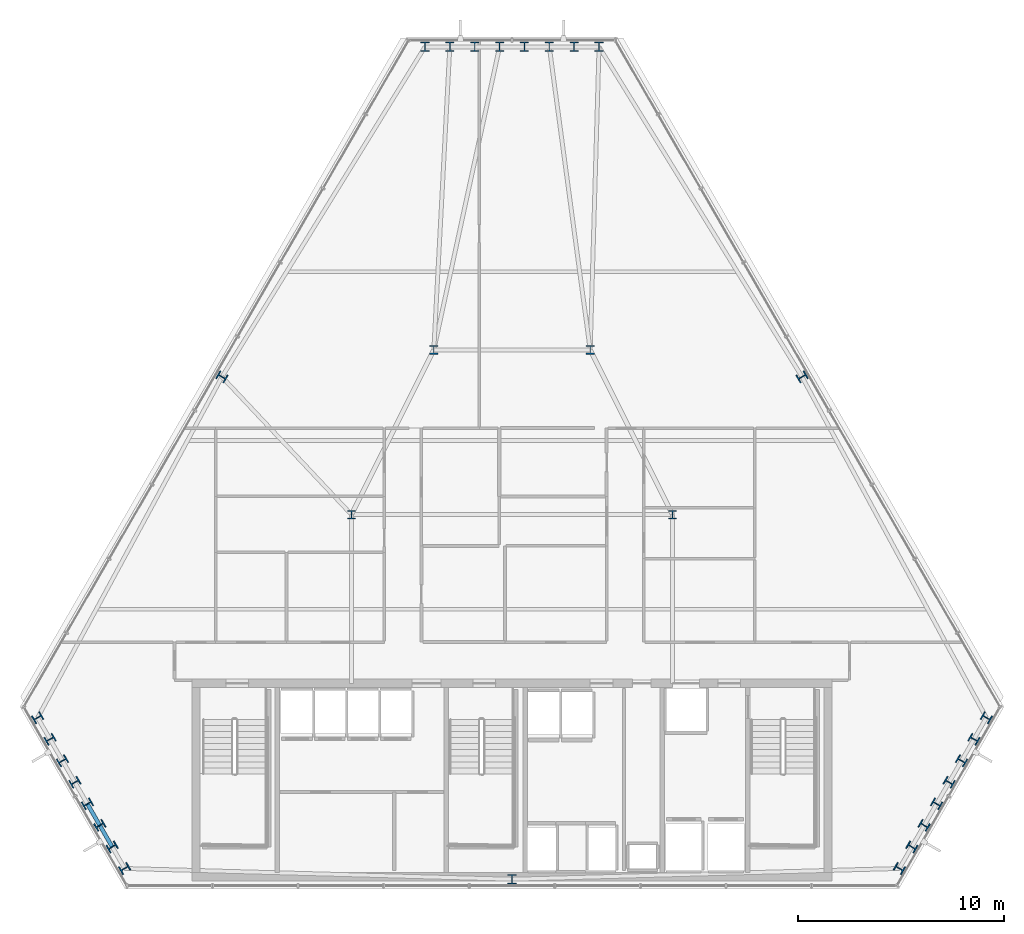
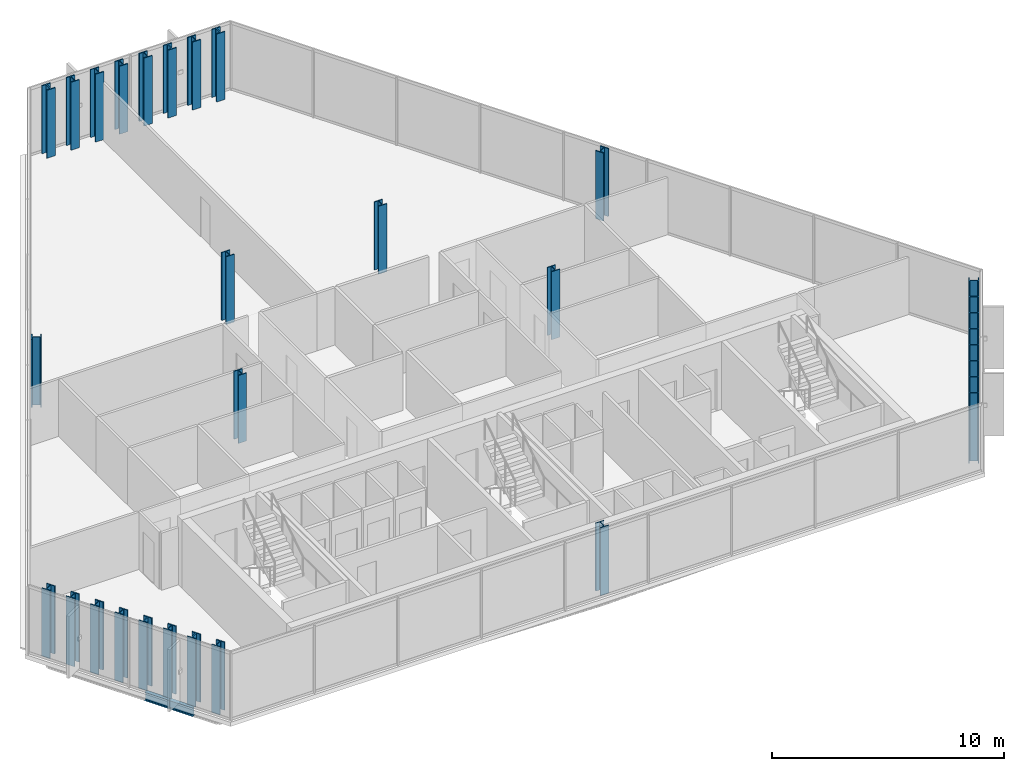
# One storey, part 1 of 35: 31 columns, 2 beams.
"""IFC4 building model written with IfcOpenShell, lengths in metres."""

from ifc_helpers import new_model, si_unit, direction, frame, origin, origin_2d, place, context, subcontext, project, spatial, i_section, extrude, material, material_profile, profile_set, type_object, element, save


model = new_model("IFC4")

# Units and contexts
model_context = context("Model", 3, precision=1e-05, world=origin(), true_north=direction((0.0, 1.0)))
body_context = subcontext(model_context, "Body", "Model", "MODEL_VIEW")
ifc_project = project(units=[si_unit("LENGTHUNIT", "METRE"), si_unit("AREAUNIT", "SQUARE_METRE"), si_unit("VOLUMEUNIT", "CUBIC_METRE"), si_unit("PLANEANGLEUNIT", "RADIAN"), si_unit("MASSUNIT", "GRAM", prefix="KILO")], contexts=[model_context])

# Site, building, storey
site_placement = place(None, origin())
site = spatial("IfcSite", under=ifc_project, at=site_placement, CompositionType="ELEMENT")
building_placement = place(site_placement, origin())
building = spatial("IfcBuilding", under=site, at=building_placement, Name="Ndaravel Arena Tower", CompositionType="ELEMENT")
storey_placement = place(building_placement, frame((0.0, 0.0, 172.60009765625)))
storey = spatial("IfcBuildingStorey", under=building, at=storey_placement, Name="L41", CompositionType="ELEMENT", Elevation=172.60009765625)

# Columns
ifc_material_1 = material(Name="Steel S355", Category="steel")
ifc_material_profile_1 = material_profile(ifc_material_1, i_section(OverallWidth=0.406982421875, OverallDepth=0.4189453125, WebThickness=0.030517578125, FlangeThickness=0.04931640625, FilletRadius=0.01513671875, at=origin_2d()), Name="UC 356x406x393")
ifc_profile_set_1 = profile_set([ifc_material_profile_1], Name="Steel S355")
column_type_1 = type_object("IfcColumnType", Name="COL-INT-UC393", PredefinedType="COLUMN", material=ifc_profile_set_1)
for number, where, z_axis, x_axis, name in (
    (1, (34.199951171875, 23.199951171875, 0.0), (0.0, 0.0, 1.0), (1.0, 0.0, 0.0), "L41 Interior Spine Column IC-01"),
    (2, (49.800048828125, 23.199951171875, 0.0), (0.0, 0.0, 1.0), (1.0, 0.0, 0.0), "L41 Interior Spine Column IC-02"),
    (3, (38.199951171875, 31.199951171875, 0.0), (0.0, 0.0, 1.0), (1.0, 0.0, 0.0), "L41 Interior Spine Column IC-03"),
    (4, (45.800048828125, 31.199951171875, 0.0), (0.0, 0.0, 1.0), (1.0, 0.0, 0.0), "L41 Interior Spine Column IC-04"),
):
    element("IfcColumn", number, at=place(storey_placement, frame(where, z_axis=z_axis, x_axis=x_axis)), inside=storey, type_object=column_type_1, Name=name, PredefinedType="COLUMN", context=body_context, shape_type="SweptSolid", body=[
        extrude(i_section(OverallWidth=0.406982421875, OverallDepth=0.4189453125, WebThickness=0.030517578125, FlangeThickness=0.04931640625, FilletRadius=0.01513671875, at=origin_2d()), origin(), (0.0, 0.0, 1.0), 3.579833984375),
    ])
ifc_material_2 = material(Name="Steel S355", Category="steel")
ifc_material_profile_2 = material_profile(ifc_material_2, i_section(OverallWidth=0.41796875, OverallDepth=0.455078125, WebThickness=0.0419921875, FlangeThickness=0.052001953125, FilletRadius=0.014892578125, at=origin_2d()), Name="HD 400x551")
ifc_profile_set_2 = profile_set([ifc_material_profile_2], Name="Steel S355")
column_type_2 = type_object("IfcColumnType", Name="COL-TUBE-HD551", PredefinedType="COLUMN", material=ifc_profile_set_2)
for number, where, z_axis, x_axis, name in (
    (5, (42.0, 5.47998046875, 0.0), (0.0, 0.0, 1.0), (1.0, 0.0, 0.0), "L41 Framed Tube Column TC-01"),
    (6, (60.82080078125, 6.00341796875, 0.0), (0.0, 0.0, 1.0), (0.5, 0.866025403784, 0.0), "L41 Framed Tube Column TC-02"),
    (7, (61.425048828125, 7.0498046875, 0.0), (0.0, 0.0, 1.0), (0.5, 0.866025403784, 0.0), "L41 Framed Tube Column TC-03"),
    (8, (62.029296875, 8.096435546875, 0.0), (0.0, 0.0, 1.0), (0.5, 0.866025403784, 0.0), "L41 Framed Tube Column TC-04"),
    (9, (62.633544921875, 9.14306640625, 0.0), (0.0, 0.0, 1.0), (0.5, 0.866025403784, 0.0), "L41 Framed Tube Column TC-05"),
    (10, (63.23779296875, 10.189697265625, 0.0), (0.0, 0.0, 1.0), (0.5, 0.866025403784, 0.0), "L41 Framed Tube Column TC-06"),
    (11, (63.842041015625, 11.236328125, 0.0), (0.0, 0.0, 1.0), (0.5, 0.866025403784, 0.0), "L41 Framed Tube Column TC-07"),
    (12, (64.4462890625, 12.282958984375, 0.0), (0.0, 0.0, 1.0), (0.5, 0.866025403784, 0.0), "L41 Framed Tube Column TC-08"),
    (13, (65.050537109375, 13.32958984375, 0.0), (0.0, 0.0, 1.0), (0.5, 0.866025403784, 0.0), "L41 Framed Tube Column TC-09"),
    (14, (56.093505859375, 29.890380859375, 0.0), (0.0, 0.0, 1.0), (-0.5, 0.866025403784, 0.0), "L41 Framed Tube Column TC-10"),
    (15, (46.229736328125, 45.92822265625, 0.0), (0.0, 0.0, 1.0), (1.0, 0.0, 0.0), "L41 Framed Tube Column TC-11"),
    (16, (45.021240234375, 45.92822265625, 0.0), (0.0, 0.0, 1.0), (1.0, 0.0, 0.0), "L41 Framed Tube Column TC-12"),
    (17, (43.812744140625, 45.92822265625, 0.0), (0.0, 0.0, 1.0), (1.0, 0.0, 0.0), "L41 Framed Tube Column TC-13"),
    (18, (42.604248046875, 45.92822265625, 0.0), (0.0, 0.0, 1.0), (1.0, 0.0, 0.0), "L41 Framed Tube Column TC-14"),
    (19, (41.395751953125, 45.92822265625, 0.0), (0.0, 0.0, 1.0), (1.0, 0.0, 0.0), "L41 Framed Tube Column TC-15"),
    (20, (40.187255859375, 45.92822265625, 0.0), (0.0, 0.0, 1.0), (1.0, 0.0, 0.0), "L41 Framed Tube Column TC-16"),
    (21, (38.978759765625, 45.92822265625, 0.0), (0.0, 0.0, 1.0), (1.0, 0.0, 0.0), "L41 Framed Tube Column TC-17"),
    (22, (37.770263671875, 45.92822265625, 0.0), (0.0, 0.0, 1.0), (1.0, 0.0, 0.0), "L41 Framed Tube Column TC-18"),
    (23, (27.906494140625, 29.890380859375, 0.0), (0.0, 0.0, 1.0), (0.5, 0.866025403784, 0.0), "L41 Framed Tube Column TC-19"),
    (24, (18.949462890625, 13.32958984375, 0.0), (0.0, 0.0, 1.0), (-0.5, 0.866025403784, 0.0), "L41 Framed Tube Column TC-20"),
    (25, (19.5537109375, 12.282958984375, 0.0), (0.0, 0.0, 1.0), (-0.5, 0.866025403784, 0.0), "L41 Framed Tube Column TC-21"),
    (26, (20.157958984375, 11.236328125, 0.0), (0.0, 0.0, 1.0), (-0.5, 0.866025403784, 0.0), "L41 Framed Tube Column TC-22"),
    (27, (20.76220703125, 10.189697265625, 0.0), (0.0, 0.0, 1.0), (-0.5, 0.866025403784, 0.0), "L41 Framed Tube Column TC-23"),
    (28, (21.366455078125, 9.14306640625, 0.0), (0.0, 0.0, 1.0), (-0.5, 0.866025403784, 0.0), "L41 Framed Tube Column TC-24"),
    (29, (21.970703125, 8.096435546875, 0.0), (0.0, 0.0, 1.0), (-0.5, 0.866025403784, 0.0), "L41 Framed Tube Column TC-25"),
    (30, (22.574951171875, 7.0498046875, 0.0), (0.0, 0.0, 1.0), (-0.5, 0.866025403784, 0.0), "L41 Framed Tube Column TC-26"),
    (31, (23.17919921875, 6.00341796875, 0.0), (0.0, 0.0, 1.0), (-0.5, 0.866025403784, 0.0), "L41 Framed Tube Column TC-27"),
):
    element("IfcColumn", number, at=place(storey_placement, frame(where, z_axis=z_axis, x_axis=x_axis)), inside=storey, type_object=column_type_2, Name=name, PredefinedType="COLUMN", context=body_context, shape_type="SweptSolid", body=[
        extrude(i_section(OverallWidth=0.41796875, OverallDepth=0.455078125, WebThickness=0.0419921875, FlangeThickness=0.052001953125, FilletRadius=0.014892578125, at=origin_2d()), origin(), (0.0, 0.0, 1.0), 3.579833984375),
    ])

# Beams
ifc_material_3 = material(Name="Steel S355", Category="steel")
ifc_material_profile_3 = material_profile(ifc_material_3, i_section(OverallWidth=0.18994140625, OverallDepth=0.449951171875, WebThickness=0.009521484375, FlangeThickness=0.0146484375, FilletRadius=0.02099609375, at=origin_2d()), Name="IPE 450")
ifc_profile_set_3 = profile_set([ifc_material_profile_3], Name="Steel S355")
beam_type = type_object("IfcBeamType", Name="BM-SPAN-IPE450", PredefinedType="SPANDREL", material=ifc_profile_set_3)
for number, where, z_axis, x_axis, name in (
    (32, (21.366455078125, 9.14306640625, -0.445068359375), (0.499984757355, -0.866034203951, 0.0), (0.866034203951, 0.499984757355, 0.0), "L41 Perimeter Spandrel Beam SP-24"),
    (33, (21.970703125, 8.096435546875, -0.445068359375), (0.499984757355, -0.866034203951, 0.0), (0.866034203951, 0.499984757355, 0.0), "L41 Perimeter Spandrel Beam SP-25"),
):
    element("IfcBeam", number, at=place(storey_placement, frame(where, z_axis=z_axis, x_axis=x_axis)), inside=storey, type_object=beam_type, Name=name, PredefinedType="SPANDREL", context=body_context, shape_type="SweptSolid", body=[
        extrude(i_section(OverallWidth=0.18994140625, OverallDepth=0.449951171875, WebThickness=0.009521484375, FlangeThickness=0.0146484375, FilletRadius=0.02099609375, at=origin_2d()), origin(), (0.0, 0.0, 1.0), 1.20849609375),
    ])

save(model, "model.ifc")
